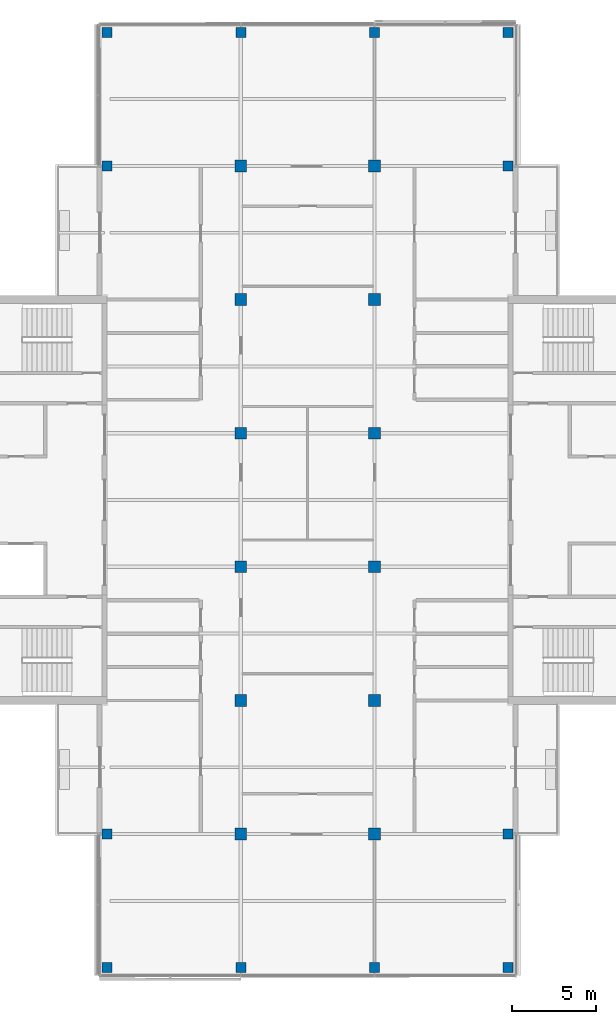
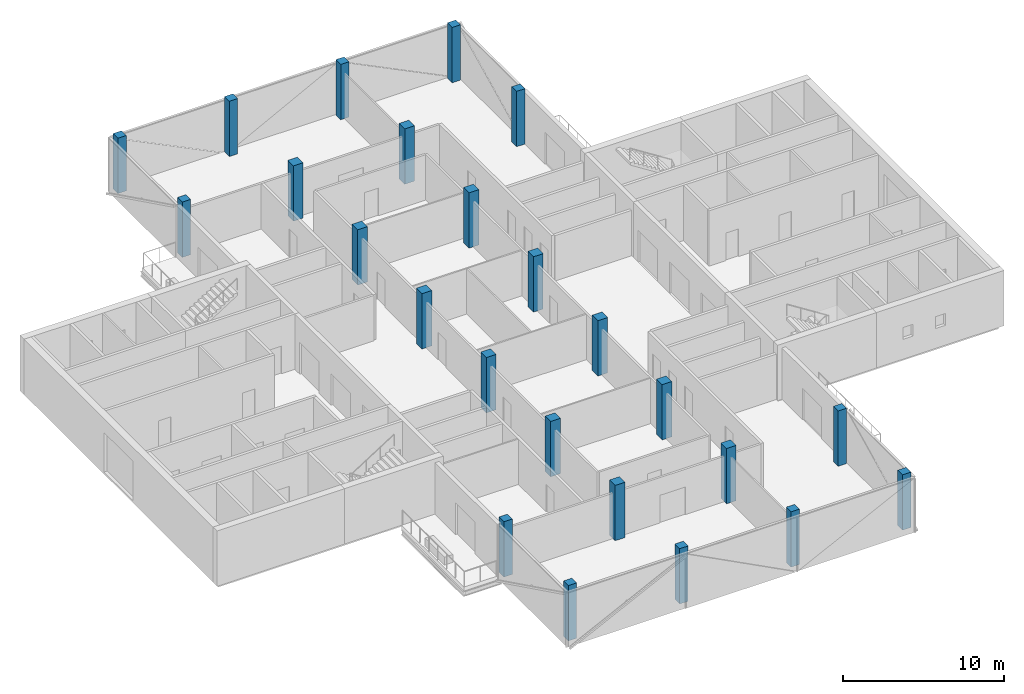
# One storey, part 1 of 12: 24 columns.
"""IFC4 building model written with IfcOpenShell, lengths in metres."""

from ifc_helpers import new_model, si_unit, direction, frame, origin, origin_2d, place, context, subcontext, project, spatial, rectangle, extrude, material, material_profile, profile_set, type_object, element, save


model = new_model("IFC4")

# Units and contexts
model_context = context("Model", 3, precision=1e-05, world=origin(), true_north=direction((0.0, 1.0)))
body_context = subcontext(model_context, "Body", "Model", "MODEL_VIEW")
ifc_project = project(units=[si_unit("LENGTHUNIT", "METRE"), si_unit("AREAUNIT", "SQUARE_METRE"), si_unit("VOLUMEUNIT", "CUBIC_METRE"), si_unit("PLANEANGLEUNIT", "RADIAN"), si_unit("MASSUNIT", "GRAM", prefix="KILO")], contexts=[model_context])

# Site, building, storey
site_placement = place(None, origin())
site = spatial("IfcSite", under=ifc_project, at=site_placement, CompositionType="ELEMENT")
building_placement = place(site_placement, origin())
building = spatial("IfcBuilding", under=site, at=building_placement, Name="Crosswind Convention Tower", CompositionType="ELEMENT")
storey_placement = place(building_placement, frame((0.0, 0.0, 245.10009765625)))
storey = spatial("IfcBuildingStorey", under=building, at=storey_placement, Name="L52", CompositionType="ELEMENT", Elevation=245.10009765625)

# Columns
ifc_material = material(Name="Concrete C60/75", Category="concrete")
ifc_material_profile_1 = material_profile(ifc_material, rectangle(XDim=0.60009765625, YDim=0.60009765625, at=origin_2d()), Name="RC 600X600")
ifc_profile_set_1 = profile_set([ifc_material_profile_1], Name="Concrete C60/75")
column_type_1 = type_object("IfcColumnType", Name="Column RC 600X600", PredefinedType="COLUMN", material=ifc_profile_set_1)
for number, where, z_axis, x_axis, name in (
    (1, (113.0, 72.0, 0.0), (0.0, 0.0, 1.0), (1.0, 0.0, 0.0), "C16 L52 5/C"),
    (2, (113.0, 80.0, 0.0), (0.0, 0.0, 1.0), (1.0, 0.0, 0.0), "C16 L52 5/D"),
    (3, (113.0, 120.0, 0.0), (0.0, 0.0, 1.0), (1.0, 0.0, 0.0), "C16 L52 5/I"),
    (4, (113.0, 128.0, 0.0), (0.0, 0.0, 1.0), (1.0, 0.0, 0.0), "C16 L52 5/J"),
    (5, (121.0, 72.0, 0.0), (0.0, 0.0, 1.0), (1.0, 0.0, 0.0), "C16 L52 6/C"),
    (6, (121.0, 128.0, 0.0), (0.0, 0.0, 1.0), (1.0, 0.0, 0.0), "C16 L52 6/J"),
    (7, (129.0, 72.0, 0.0), (0.0, 0.0, 1.0), (1.0, 0.0, 0.0), "C16 L52 7/C"),
    (8, (129.0, 128.0, 0.0), (0.0, 0.0, 1.0), (1.0, 0.0, 0.0), "C16 L52 7/J"),
    (9, (137.0, 72.0, 0.0), (0.0, 0.0, 1.0), (1.0, 0.0, 0.0), "C16 L52 8/C"),
    (10, (137.0, 80.0, 0.0), (0.0, 0.0, 1.0), (1.0, 0.0, 0.0), "C16 L52 8/D"),
    (11, (137.0, 120.0, 0.0), (0.0, 0.0, 1.0), (1.0, 0.0, 0.0), "C16 L52 8/I"),
    (12, (137.0, 128.0, 0.0), (0.0, 0.0, 1.0), (1.0, 0.0, 0.0), "C16 L52 8/J"),
):
    element("IfcColumn", number, at=place(storey_placement, frame(where, z_axis=z_axis, x_axis=x_axis)), inside=storey, type_object=column_type_1, Name=name, PredefinedType="COLUMN", context=body_context, shape_type="SweptSolid", body=[
        extrude(rectangle(XDim=0.60009765625, YDim=0.60009765625, at=origin_2d()), origin(), (0.0, 0.0, 1.0), 4.199951171875),
    ])
ifc_material_profile_2 = material_profile(ifc_material, rectangle(XDim=0.699951171875, YDim=0.699951171875, at=origin_2d()), Name="RC 700X700")
ifc_profile_set_2 = profile_set([ifc_material_profile_2], Name="Concrete C60/75")
column_type_2 = type_object("IfcColumnType", Name="Column RC 700X700", PredefinedType="COLUMN", material=ifc_profile_set_2)
for number, where, z_axis, x_axis, name in (
    (13, (121.0, 80.0, 0.0), (0.0, 0.0, 1.0), (1.0, 0.0, 0.0), "C15 L52 6/D"),
    (14, (121.0, 88.0, 0.0), (0.0, 0.0, 1.0), (1.0, 0.0, 0.0), "C15 L52 6/E"),
    (15, (121.0, 96.0, 0.0), (0.0, 0.0, 1.0), (1.0, 0.0, 0.0), "C15 L52 6/F"),
    (16, (121.0, 104.0, 0.0), (0.0, 0.0, 1.0), (1.0, 0.0, 0.0), "C15 L52 6/G"),
    (17, (121.0, 112.0, 0.0), (0.0, 0.0, 1.0), (1.0, 0.0, 0.0), "C15 L52 6/H"),
    (18, (121.0, 120.0, 0.0), (0.0, 0.0, 1.0), (1.0, 0.0, 0.0), "C15 L52 6/I"),
    (19, (129.0, 80.0, 0.0), (0.0, 0.0, 1.0), (1.0, 0.0, 0.0), "C15 L52 7/D"),
    (20, (129.0, 88.0, 0.0), (0.0, 0.0, 1.0), (1.0, 0.0, 0.0), "C15 L52 7/E"),
    (21, (129.0, 96.0, 0.0), (0.0, 0.0, 1.0), (1.0, 0.0, 0.0), "C15 L52 7/F"),
    (22, (129.0, 104.0, 0.0), (0.0, 0.0, 1.0), (1.0, 0.0, 0.0), "C15 L52 7/G"),
    (23, (129.0, 112.0, 0.0), (0.0, 0.0, 1.0), (1.0, 0.0, 0.0), "C15 L52 7/H"),
    (24, (129.0, 120.0, 0.0), (0.0, 0.0, 1.0), (1.0, 0.0, 0.0), "C15 L52 7/I"),
):
    element("IfcColumn", number, at=place(storey_placement, frame(where, z_axis=z_axis, x_axis=x_axis)), inside=storey, type_object=column_type_2, Name=name, PredefinedType="COLUMN", context=body_context, shape_type="SweptSolid", body=[
        extrude(rectangle(XDim=0.699951171875, YDim=0.699951171875, at=origin_2d()), origin(), (0.0, 0.0, 1.0), 4.199951171875),
    ])

save(model, "model.ifc")
